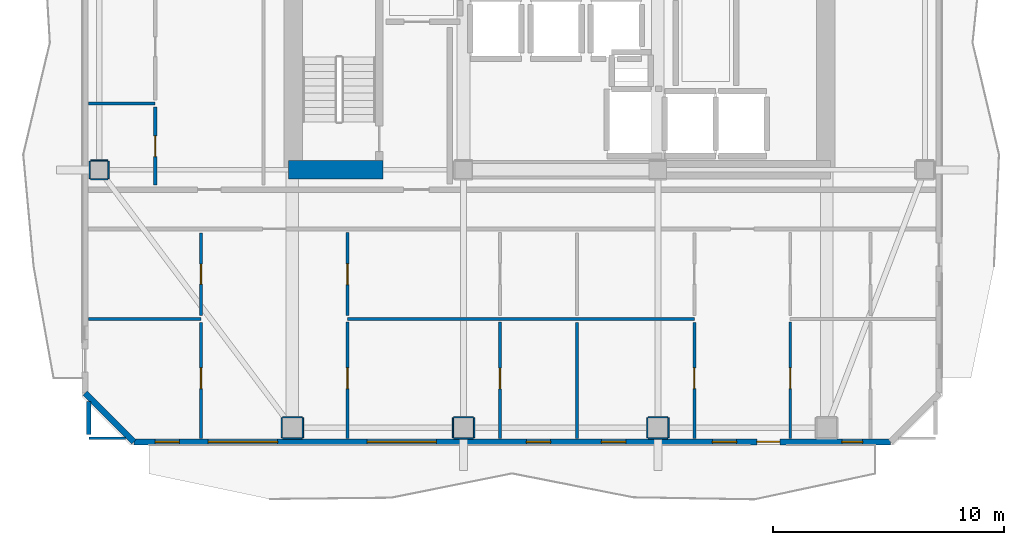
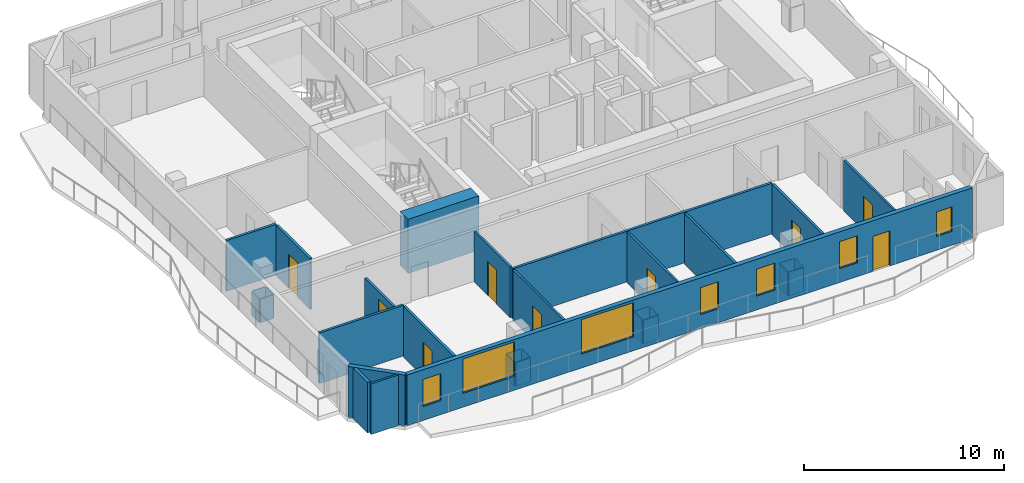
# One storey, part 2 of 10: 33 walls, 9 doors, 7 windows, 16 openings.
"""IFC4 building model written with IfcOpenShell, lengths in metres."""

import ifcopenshell
import ifcopenshell.guid

model = None  # the IFC model being written
_history = None  # IfcOwnerHistory: only IFC2X3 demands one
_inside = {}  # id of a spatial element -> (the spatial element, [elements in it])
_under = {}  # id of a project, library or spatial element -> (it, [spatial elements below it])
_declared = {}  # id of a project -> (the project, [libraries it declares])
_typed = {}  # id of a type object -> (the type object, [elements of that type])
_made_of = {}  # id of a material, layer set ... -> (it, [elements and type objects made of it])


def new_model(schema):
    """Start an empty IFC model of exactly this schema.

    Asked for "IFC4X3", IfcOpenShell would pick the latest addendum, in which some entities
    have other attributes; the version numbers below select the first issue.
    IFC2X3 requires an IfcOwnerHistory on every rooted entity: one is made here for all.
    """
    global model, _history
    if schema == "IFC4X3":
        model = ifcopenshell.file(schema_version=(4, 3, 0, 0))
    else:
        model = ifcopenshell.file(schema=schema)
    _inside.clear()
    _under.clear()
    _declared.clear()
    _typed.clear()
    _made_of.clear()
    _history = None
    if model.schema == "IFC2X3":
        org = make("IfcOrganization", Name="unknown")
        user = make(
            "IfcPersonAndOrganization",
            ThePerson=make("IfcPerson", FamilyName="unknown"),
            TheOrganization=org,
        )
        app = make(
            "IfcApplication",
            ApplicationDeveloper=org,
            Version="unknown",
            ApplicationFullName="unknown",
            ApplicationIdentifier="unknown",
        )
        _history = make(
            "IfcOwnerHistory",
            OwningUser=user,
            OwningApplication=app,
            ChangeAction="ADDED",
            CreationDate=0,
        )
    return model


def make(cls, **values):
    """One entity of the class cls with the attributes given. An attribute that is None is left unset."""
    return model.create_entity(
        cls, **{name: value for name, value in values.items() if value is not None}
    )


def rooted(cls, **values):
    """An entity with a GlobalId (a new one), such as an element, a storey or a relation."""
    return make(cls, GlobalId=ifcopenshell.guid.new(), OwnerHistory=_history, **values)


def si_unit(unit_type, name, prefix=None):
    """IfcSIUnit, for example si_unit("LENGTHUNIT", "METRE", prefix="MILLI")."""
    return make("IfcSIUnit", UnitType=unit_type, Prefix=prefix, Name=name)


def assignment(units):
    """IfcUnitAssignment: the units of a project."""
    return None if units is None else make("IfcUnitAssignment", Units=units)


def point(xyz):
    """IfcCartesianPoint."""
    return None if xyz is None else make("IfcCartesianPoint", Coordinates=xyz)


def direction(xyz):
    """IfcDirection."""
    return None if xyz is None else make("IfcDirection", DirectionRatios=xyz)


def frame(location, z_axis=None, x_axis=None):
    """IfcAxis2Placement3D, a coordinate frame: its origin and axes. An axis left out is left unset."""
    return make(
        "IfcAxis2Placement3D",
        Location=point(location),
        Axis=direction(z_axis),
        RefDirection=direction(x_axis),
    )


def frame_2d(location, x_axis=None):
    """IfcAxis2Placement2D, a coordinate frame in the plane: its origin and x axis."""
    return make(
        "IfcAxis2Placement2D", Location=point(location), RefDirection=direction(x_axis)
    )


def origin():
    """The frame at (0, 0, 0) with its axes left unset."""
    return frame((0.0, 0.0, 0.0))


def place(relative_to, where):
    """IfcLocalPlacement: puts the frame where relative to a parent placement (None: the world)."""
    return make(
        "IfcLocalPlacement", PlacementRelTo=relative_to, RelativePlacement=where
    )


def context(
    kind, dimensions, precision=None, world=None, true_north=None, identifier=None
):
    """IfcGeometricRepresentationContext, for example the 3D "Model" context."""
    return make(
        "IfcGeometricRepresentationContext",
        ContextIdentifier=identifier,
        ContextType=kind,
        CoordinateSpaceDimension=dimensions,
        Precision=precision,
        WorldCoordinateSystem=world,
        TrueNorth=true_north,
    )


def subcontext(parent, identifier, kind, view, scale=None):
    """IfcGeometricRepresentationSubContext, for example "Body" below "Model"."""
    return make(
        "IfcGeometricRepresentationSubContext",
        ContextIdentifier=identifier,
        ContextType=kind,
        ParentContext=parent,
        TargetScale=scale,
        TargetView=view,
    )


def project(units=None, contexts=None):
    """IfcProject with its units and contexts."""
    return rooted(
        "IfcProject",
        Name="project",
        RepresentationContexts=contexts,
        UnitsInContext=assignment(units),
    )


def spatial(cls, under=None, at=None, **own):
    """A site, building, storey or space (cls), placed at a placement, below another one or the project."""
    s = rooted(cls, ObjectPlacement=at, **own)
    if under is not None:
        _under.setdefault(under.id(), (under, []))[1].append(s)
    return s


def profile(cls, at=None, kind="AREA", **sizes):
    """A parametric profile (cls). Its sizes go by their IFC names, for example OverallWidth=200.0."""
    return make(cls, ProfileType=kind, Position=at, **sizes)


def rectangle(**sizes):
    """IfcRectangleProfileDef."""
    return profile("IfcRectangleProfileDef", **sizes)


def extrude(swept, where, along, depth):
    """IfcExtrudedAreaSolid: the profile swept, set in the frame where, extruded along a direction by depth."""
    return make(
        "IfcExtrudedAreaSolid",
        SweptArea=swept,
        Position=where,
        ExtrudedDirection=direction(along),
        Depth=depth,
    )


def shape(context_of_items, identifier, shape_type, items):
    """IfcShapeRepresentation: the items that make up one representation, for example the "Body"."""
    return make(
        "IfcShapeRepresentation",
        ContextOfItems=context_of_items,
        RepresentationIdentifier=identifier,
        RepresentationType=shape_type,
        Items=items,
    )


def material(Name=None, Category=None):
    """IfcMaterial."""
    return make("IfcMaterial", Name=Name, Category=Category)


def layer(
    of_material, thickness, ventilated=None, Name=None, Category=None, Priority=None
):
    """IfcMaterialLayer: one layer of a wall or slab, of a material (None: an air gap)."""
    return make(
        "IfcMaterialLayer",
        Material=of_material,
        LayerThickness=thickness,
        IsVentilated=ventilated,
        Name=Name,
        Category=Category,
        Priority=Priority,
    )


def layer_set(layers, Name=None):
    """IfcMaterialLayerSet."""
    return make("IfcMaterialLayerSet", MaterialLayers=layers, LayerSetName=Name)


def made_of(thing, what):
    """Note that an element or type object is made of a material, layer set ...; save() writes the relation."""
    if what is not None:
        _made_of.setdefault(what.id(), (what, []))[1].append(thing)
    return thing


def type_object(cls, material=None, **own):
    """A type object (cls), such as IfcWallType, which elements share."""
    return made_of(rooted(cls, **own), material)


def element(
    cls,
    number,
    at=None,
    inside=None,
    cuts=None,
    type_object=None,
    material=None,
    context=None,
    identifier="Body",
    shape_type=None,
    held_by="IfcProductDefinitionShape",
    body=None,
    shapes=None,
    **own,
):
    """One element of the class cls, such as IfcWall. Its Tag is "e" and its number.

    at: its placement. inside: the storey or other place that contains it. cuts: it is an
    opening in that element (IfcRelVoidsElement). A single representation is given by context,
    identifier, shape_type and body (its items); several are given by shapes. held_by: the class
    of the entity that holds the representations. save() writes the other relations.
    """
    e = rooted(cls, Tag="e%d" % number, ObjectPlacement=at, **own)
    if body is not None:
        shapes = [shape(context, identifier, shape_type, body)]
    if shapes is not None:
        e.Representation = make(held_by, Representations=shapes)
    if inside is not None:
        _inside.setdefault(inside.id(), (inside, []))[1].append(e)
    if cuts is not None:
        rooted(
            "IfcRelVoidsElement", RelatingBuildingElement=cuts, RelatedOpeningElement=e
        )
    if type_object is not None:
        _typed.setdefault(type_object.id(), (type_object, []))[1].append(e)
    return made_of(e, material)


def fill(opening, filler):
    """IfcRelFillsElement: the door or window that sits in an opening."""
    return rooted(
        "IfcRelFillsElement",
        RelatingOpeningElement=opening,
        RelatedBuildingElement=filler,
    )


def aggregate(whole, parts):
    """IfcRelAggregates: a whole, such as a stair, and the parts it consists of."""
    return rooted("IfcRelAggregates", RelatingObject=whole, RelatedObjects=parts)


def save(model, path):
    """Write the relations noted so far, then the file.

    IfcRelAggregates (storeys below a building ...), IfcRelContainedInSpatialStructure (elements
    in a storey), IfcRelDefinesByType, IfcRelAssociatesMaterial and IfcRelDeclares: one each for
    every whole, place, type object, material and project.
    """
    for whole, parts in _under.values():
        aggregate(whole, parts)
    for where, things in _inside.values():
        rooted(
            "IfcRelContainedInSpatialStructure",
            RelatedElements=things,
            RelatingStructure=where,
        )
    for kind, things in _typed.values():
        rooted("IfcRelDefinesByType", RelatedObjects=things, RelatingType=kind)
    for what, things in _made_of.values():
        rooted("IfcRelAssociatesMaterial", RelatedObjects=things, RelatingMaterial=what)
    for by, libraries in _declared.values():
        rooted("IfcRelDeclares", RelatingContext=by, RelatedDefinitions=libraries)
    model.write(path)


model = new_model("IFC4")

# Units and contexts
model_context = context("Model", 3, precision=1e-05, world=origin(), true_north=direction((0.0, 1.0)))
body_context = subcontext(model_context, "Body", "Model", "MODEL_VIEW")
ifc_project = project(units=[si_unit("LENGTHUNIT", "METRE"), si_unit("AREAUNIT", "SQUARE_METRE"), si_unit("VOLUMEUNIT", "CUBIC_METRE"), si_unit("PLANEANGLEUNIT", "RADIAN"), si_unit("MASSUNIT", "GRAM", prefix="KILO")], contexts=[model_context])

# Site, building, storey
site_placement = place(None, origin())
site = spatial("IfcSite", under=ifc_project, at=site_placement, CompositionType="ELEMENT")
building_placement = place(site_placement, origin())
building = spatial("IfcBuilding", under=site, at=building_placement, Name="Solanera Arch Residences", CompositionType="ELEMENT")
storey_placement = place(building_placement, frame((0.0, 0.0, 200.1201171875)))
storey = spatial("IfcBuildingStorey", under=building, at=storey_placement, Name="L58", CompositionType="ELEMENT", Elevation=200.1201171875)

# Walls
ifc_material_1 = material(Name="Fire-Rated Gypsum Stud Partition", Category="gypsum")
ifc_layer_1 = layer(ifc_material_1, 0.06005859375)
ifc_layer_set_1 = layer_set([ifc_layer_1], Name="Fire-Rated Gypsum Stud Partition")
wall_type_1 = type_object("IfcWallType", Name="Column Acoustic Furring Wall 60", PredefinedType="PARTITIONING", material=ifc_layer_set_1)
for number, where, z_axis, x_axis, name in (
    (1, (12.97509765625, 10.39306640625, 0.0), (0.0, 0.0, 1.0), (1.0, 0.0, 0.0), "L58 Column Furring 9S"),
    (2, (12.97509765625, 11.306884765625, 0.0), (0.0, 0.0, 1.0), (1.0, 0.0, 0.0), "L58 Column Furring 9N"),
    (3, (12.943115234375, 10.425048828125, 0.0), (0.0, 0.0, 1.0), (0.0, 1.0, 0.0), "L58 Column Furring 9W"),
    (4, (13.85693359375, 10.425048828125, 0.0), (0.0, 0.0, 1.0), (0.0, 1.0, 0.0), "L58 Column Furring 9E"),
):
    element("IfcWall", number, at=place(storey_placement, frame(where, z_axis=z_axis, x_axis=x_axis)), inside=storey, type_object=wall_type_1, Name=name, PredefinedType="PARTITIONING", context=body_context, shape_type="SweptSolid", body=[
        extrude(rectangle(XDim=0.849853515625, YDim=0.06005859375, at=frame_2d((0.4248046875, 0.0))), origin(), (0.0, 0.0, 1.0), 1.449951171875),
    ])
for number, where, z_axis, x_axis, name in (
    (5, (20.375, 10.39306640625, 0.0), (0.0, 0.0, 1.0), (1.0, 0.0, 0.0), "L58 Column Furring 11S"),
    (6, (20.375, 11.306884765625, 0.0), (0.0, 0.0, 1.0), (1.0, 0.0, 0.0), "L58 Column Furring 11N"),
):
    element("IfcWall", number, at=place(storey_placement, frame(where, z_axis=z_axis, x_axis=x_axis)), inside=storey, type_object=wall_type_1, Name=name, PredefinedType="PARTITIONING", context=body_context, shape_type="SweptSolid", body=[
        extrude(rectangle(XDim=0.85009765625, YDim=0.06005859375, at=frame_2d((0.425048828125, 0.0))), origin(), (0.0, 0.0, 1.0), 1.449951171875),
    ])
for number, where, z_axis, x_axis, name in (
    (7, (20.343017578125, 10.425048828125, 0.0), (0.0, 0.0, 1.0), (0.0, 1.0, 0.0), "L58 Column Furring 11W"),
    (8, (21.257080078125, 10.425048828125, 0.0), (0.0, 0.0, 1.0), (0.0, 1.0, 0.0), "L58 Column Furring 11E"),
):
    element("IfcWall", number, at=place(storey_placement, frame(where, z_axis=z_axis, x_axis=x_axis)), inside=storey, type_object=wall_type_1, Name=name, PredefinedType="PARTITIONING", context=body_context, shape_type="SweptSolid", body=[
        extrude(rectangle(XDim=0.849853515625, YDim=0.06005859375, at=frame_2d((0.4248046875, 0.0))), origin(), (0.0, 0.0, 1.0), 1.449951171875),
    ])
for number, where, z_axis, x_axis, name in (
    (9, (28.77490234375, 10.39306640625, 0.0), (0.0, 0.0, 1.0), (1.0, 0.0, 0.0), "L58 Column Furring 13S"),
    (10, (28.77490234375, 11.306884765625, 0.0), (0.0, 0.0, 1.0), (1.0, 0.0, 0.0), "L58 Column Furring 13N"),
):
    element("IfcWall", number, at=place(storey_placement, frame(where, z_axis=z_axis, x_axis=x_axis)), inside=storey, type_object=wall_type_1, Name=name, PredefinedType="PARTITIONING", context=body_context, shape_type="SweptSolid", body=[
        extrude(rectangle(XDim=0.85009765625, YDim=0.06005859375, at=frame_2d((0.425048828125, 0.0))), origin(), (0.0, 0.0, 1.0), 1.449951171875),
    ])
for number, where, z_axis, x_axis, name in (
    (11, (28.742919921875, 10.425048828125, 0.0), (0.0, 0.0, 1.0), (0.0, 1.0, 0.0), "L58 Column Furring 13W"),
    (12, (29.656982421875, 10.425048828125, 0.0), (0.0, 0.0, 1.0), (0.0, 1.0, 0.0), "L58 Column Furring 13E"),
):
    element("IfcWall", number, at=place(storey_placement, frame(where, z_axis=z_axis, x_axis=x_axis)), inside=storey, type_object=wall_type_1, Name=name, PredefinedType="PARTITIONING", context=body_context, shape_type="SweptSolid", body=[
        extrude(rectangle(XDim=0.849853515625, YDim=0.06005859375, at=frame_2d((0.4248046875, 0.0))), origin(), (0.0, 0.0, 1.0), 1.449951171875),
    ])
for number, where, z_axis, x_axis, name in (
    (13, (4.675048828125, 21.593017578125, 0.0), (0.0, 0.0, 1.0), (1.0, 0.0, 0.0), "L58 Column Furring 17S"),
    (14, (4.675048828125, 22.406982421875, 0.0), (0.0, 0.0, 1.0), (1.0, 0.0, 0.0), "L58 Column Furring 17N"),
    (15, (4.64306640625, 21.625, 0.0), (0.0, 0.0, 1.0), (0.0, 1.0, 0.0), "L58 Column Furring 17W"),
    (16, (5.45703125, 21.625, 0.0), (0.0, 0.0, 1.0), (0.0, 1.0, 0.0), "L58 Column Furring 17E"),
):
    element("IfcWall", number, at=place(storey_placement, frame(where, z_axis=z_axis, x_axis=x_axis)), inside=storey, type_object=wall_type_1, Name=name, PredefinedType="PARTITIONING", context=body_context, shape_type="SweptSolid", body=[
        extrude(rectangle(XDim=0.75, YDim=0.06005859375, at=frame_2d((0.375, 0.0))), origin(), (0.0, 0.0, 1.0), 1.449951171875),
    ])
ifc_material_2 = material(Name="Concrete C40/50 (f'c = 45 MPa)", Category="concrete")
ifc_layer_2 = layer(ifc_material_2, 0.800048828125)
ifc_layer_set_2 = layer_set([ifc_layer_2], Name="Concrete C40/50 (f'c = 45 MPa)")
wall_type_2 = type_object("IfcWallType", Name="Core Shear Wall CW-800", PredefinedType="SHEAR", material=ifc_layer_set_2)
wall_1_placement = place(storey_placement, frame((13.239990234375, 22.0, 0.0), z_axis=(0.0, 0.0, 1.0), x_axis=(1.0, 0.0, 0.0)))
element("IfcWall", 17, at=wall_1_placement, inside=storey, type_object=wall_type_2, Name="L58 South-West Core Shear Wall", PredefinedType="SHEAR", context=body_context, shape_type="SweptSolid", body=[
    extrude(rectangle(XDim=4.080078125, YDim=0.800048828125, at=frame_2d((2.0400390625, 0.0))), origin(), (0.0, 0.0, 1.0), 3.31982421875),
])
ifc_material_3 = material(Name="Autoclaved Aerated Concrete Blockwork", Category="masonry")
ifc_layer_3 = layer(ifc_material_3, 0.179931640625)
ifc_layer_set_3 = layer_set([ifc_layer_3], Name="Autoclaved Aerated Concrete Blockwork")
wall_type_3 = type_object("IfcWallType", Name="Corridor Fire Partition 180", PredefinedType="PARTITIONING", material=ifc_layer_set_3)
wall_2_placement = place(storey_placement, frame((4.60009765625, 10.55810546875, 0.0), z_axis=(0.0, 0.0, 1.0), x_axis=(0.0, 1.0, 0.0)))
element("IfcWall", 18, at=wall_2_placement, inside=storey, type_object=wall_type_3, Name="L58 Interior Partition V6 1", PredefinedType="PARTITIONING", context=body_context, shape_type="SweptSolid", body=[
    extrude(rectangle(XDim=1.430908203125, YDim=0.179931640625, at=frame_2d((0.71533203125, 0.0))), origin(), (0.0, 0.0, 1.0), 3.099853515625),
])

# Wall, openings, door, windows
ifc_material_4 = material(Name="Precast Concrete C35/45", Category="concrete")
ifc_layer_4 = layer(ifc_material_4, 0.260009765625)
ifc_layer_set_4 = layer_set([ifc_layer_4], Name="Precast Concrete C35/45")
wall_type_4 = type_object("IfcWallType", Name="Exterior Wall Precast Masonry-Frame 260", PredefinedType="STANDARD", material=ifc_layer_set_4)
wall_3_placement = place(storey_placement, frame((39.2548828125, 10.2451171875, 0.0), z_axis=(0.0, 0.0, 1.0), x_axis=(-1.0, 0.0, 0.0)))
wall_3 = element("IfcWall", 19, at=wall_3_placement, inside=storey, type_object=wall_type_4, Name="L58 Tower Exterior Precast Masonry-Frame Wall S", PredefinedType="STANDARD", context=body_context, shape_type="SweptSolid", body=[
    extrude(rectangle(XDim=32.7099609375, YDim=0.260009765625, at=frame_2d((16.35498046875, 0.0))), origin(), (0.0, 0.0, 1.0), 3.099853515625),
])
opening_1_placement = place(wall_3_placement, frame((4.77587890625, 0.0, 0.0)))
opening_1 = element("IfcOpeningElement", 20, at=opening_1_placement, cuts=wall_3, Name="Opening DB-01", PredefinedType="OPENING", context=body_context, shape_type="SweptSolid", body=[
    extrude(rectangle(XDim=1.0, YDim=2.14990234375, at=frame_2d((0.5, 1.074951171875))), frame((0.0, 0.139892578125, 0.0), z_axis=(0.0, -1.0, 0.0), x_axis=(1.0, 0.0, 0.0)), (0.0, 0.0, 1.0), 0.28),
])
opening_2_placement = place(wall_3_placement, frame((26.489990234375, 0.0, 0.85009765625)))
opening_2 = element("IfcOpeningElement", 21, at=opening_2_placement, cuts=wall_3, Name="Opening W-12", PredefinedType="OPENING", context=body_context, shape_type="SweptSolid", body=[
    extrude(rectangle(XDim=3.0, YDim=2.10009765625, at=frame_2d((1.5, 1.050048828125))), frame((0.0, 0.139892578125, 0.0), z_axis=(0.0, -1.0, 0.0), x_axis=(1.0, 0.0, 0.0)), (0.0, 0.0, 1.0), 0.28),
])
opening_3_placement = place(wall_3_placement, frame((30.736083984375, 0.0, 0.85009765625)))
opening_3 = element("IfcOpeningElement", 22, at=opening_3_placement, cuts=wall_3, Name="Opening W-07", PredefinedType="OPENING", context=body_context, shape_type="SweptSolid", body=[
    extrude(rectangle(XDim=1.050048828125, YDim=1.64990234375, at=frame_2d((0.52490234375, 0.824951171875))), frame((0.0, 0.139892578125, 0.0), z_axis=(0.0, -1.0, 0.0), x_axis=(1.0, 0.0, 0.0)), (0.0, 0.0, 1.0), 0.28),
])
opening_4_placement = place(wall_3_placement, frame((19.625, 0.0, 0.85009765625)))
opening_4 = element("IfcOpeningElement", 23, at=opening_4_placement, cuts=wall_3, Name="Opening W-12", PredefinedType="OPENING", context=body_context, shape_type="SweptSolid", body=[
    extrude(rectangle(XDim=3.0, YDim=2.10009765625, at=frame_2d((1.5, 1.050048828125))), frame((0.0, 0.139892578125, 0.0), z_axis=(0.0, -1.0, 0.0), x_axis=(1.0, 0.0, 0.0)), (0.0, 0.0, 1.0), 0.28),
])
opening_5_placement = place(wall_3_placement, frame((14.68798828125, 0.0, 0.85009765625)))
opening_5 = element("IfcOpeningElement", 24, at=opening_5_placement, cuts=wall_3, Name="Opening W-07", PredefinedType="OPENING", context=body_context, shape_type="SweptSolid", body=[
    extrude(rectangle(XDim=1.050048828125, YDim=1.64990234375, at=frame_2d((0.52490234375, 0.824951171875))), frame((0.0, 0.139892578125, 0.0), z_axis=(0.0, -1.0, 0.0), x_axis=(1.0, 0.0, 0.0)), (0.0, 0.0, 1.0), 0.28),
])
opening_6_placement = place(wall_3_placement, frame((6.64990234375, 0.0, 0.85009765625)))
opening_6 = element("IfcOpeningElement", 25, at=opening_6_placement, cuts=wall_3, Name="Opening W-07", PredefinedType="OPENING", context=body_context, shape_type="SweptSolid", body=[
    extrude(rectangle(XDim=1.050048828125, YDim=1.64990234375, at=frame_2d((0.52490234375, 0.824951171875))), frame((0.0, 0.139892578125, 0.0), z_axis=(0.0, -1.0, 0.0), x_axis=(1.0, 0.0, 0.0)), (0.0, 0.0, 1.0), 0.28),
])
opening_7_placement = place(wall_3_placement, frame((11.44091796875, 0.0, 0.85009765625)))
opening_7 = element("IfcOpeningElement", 26, at=opening_7_placement, cuts=wall_3, Name="Opening W-07", PredefinedType="OPENING", context=body_context, shape_type="SweptSolid", body=[
    extrude(rectangle(XDim=1.050048828125, YDim=1.64990234375, at=frame_2d((0.52490234375, 0.824951171875))), frame((0.0, 0.139892578125, 0.0), z_axis=(0.0, -1.0, 0.0), x_axis=(1.0, 0.0, 0.0)), (0.0, 0.0, 1.0), 0.28),
])
opening_8_placement = place(wall_3_placement, frame((1.197998046875, 0.0, 0.85009765625)))
opening_8 = element("IfcOpeningElement", 27, at=opening_8_placement, cuts=wall_3, Name="Opening W-06", PredefinedType="OPENING", context=body_context, shape_type="SweptSolid", body=[
    extrude(rectangle(XDim=0.89990234375, YDim=1.5, at=frame_2d((0.449951171875, 0.75))), frame((0.0, 0.139892578125, 0.0), z_axis=(0.0, -1.0, 0.0), x_axis=(1.0, 0.0, 0.0)), (0.0, 0.0, 1.0), 0.28),
])
ifc_material_5 = material(Name="Anodised Aluminium Alloy 6063-T6", Category="aluminium")
door_type_1 = type_object("IfcDoorType", Name="Glazed Balcony Swing Door DB-01", OperationType="NOTDEFINED", PredefinedType="DOOR", material=ifc_material_5)
door_1_placement = place(opening_1_placement, origin())
door_1 = element("IfcDoor", 28, at=door_1_placement, inside=storey, type_object=door_type_1, Name="DR-L58-OUT-01", OperationType="SINGLE_SWING_RIGHT", OverallHeight=2.14990234375, OverallWidth=1.0, PredefinedType="DOOR", context=body_context, shape_type="SweptSolid", body=[
    extrude(rectangle(XDim=1.0, YDim=2.14990234375, at=frame_2d((0.5, 1.074951171875))), frame((0.0, 0.02490234375, 0.0), z_axis=(0.0, -1.0, 0.0), x_axis=(1.0, 0.0, 0.0)), (0.0, 0.0, 1.0), 0.050048828125),
])
fill(opening_1, door_1)
ifc_material_6 = material(Name="Double Glazed Low-E Laminated Glass", Category="glass")
window_type_1 = type_object("IfcWindowType", Name="Punched Window W-06", PartitioningType="SINGLE_PANEL", PredefinedType="WINDOW", material=ifc_material_6)
window_1_placement = place(opening_8_placement, origin())
window_1 = element("IfcWindow", 29, at=window_1_placement, inside=storey, type_object=window_type_1, Name="L58 5802-BR2 Punched Window", OverallHeight=1.5, OverallWidth=0.89990234375, PartitioningType="SINGLE_PANEL", PredefinedType="WINDOW", context=body_context, shape_type="SweptSolid", body=[
    extrude(rectangle(XDim=0.89990234375, YDim=1.5, at=frame_2d((0.449951171875, 0.75))), frame((0.0, 0.030029296875, 0.0), z_axis=(0.0, -1.0, 0.0), x_axis=(1.0, 0.0, 0.0)), (0.0, 0.0, 1.0), 0.06005859375),
])
fill(opening_8, window_1)
ifc_material_7 = material(Name="Double Glazed Low-E Laminated Glass", Category="glass")
window_type_2 = type_object("IfcWindowType", Name="Punched Window W-07", PartitioningType="SINGLE_PANEL", PredefinedType="WINDOW", material=ifc_material_7)
window_2_placement = place(opening_3_placement, origin())
window_2 = element("IfcWindow", 30, at=window_2_placement, inside=storey, type_object=window_type_2, Name="L58 5801-BR1 Punched Window", OverallHeight=1.64990234375, OverallWidth=1.050048828125, PartitioningType="SINGLE_PANEL", PredefinedType="WINDOW", context=body_context, shape_type="SweptSolid", body=[
    extrude(rectangle(XDim=1.050048828125, YDim=1.64990234375, at=frame_2d((0.52490234375, 0.824951171875))), frame((0.0, 0.030029296875, 0.0), z_axis=(0.0, -1.0, 0.0), x_axis=(1.0, 0.0, 0.0)), (0.0, 0.0, 1.0), 0.06005859375),
])
fill(opening_3, window_2)
window_3_placement = place(opening_5_placement, origin())
window_3 = element("IfcWindow", 31, at=window_3_placement, inside=storey, type_object=window_type_2, Name="L58 5801-BR3 Punched Window", OverallHeight=1.64990234375, OverallWidth=1.050048828125, PartitioningType="SINGLE_PANEL", PredefinedType="WINDOW", context=body_context, shape_type="SweptSolid", body=[
    extrude(rectangle(XDim=1.050048828125, YDim=1.64990234375, at=frame_2d((0.52490234375, 0.824951171875))), frame((0.0, 0.030029296875, 0.0), z_axis=(0.0, -1.0, 0.0), x_axis=(1.0, 0.0, 0.0)), (0.0, 0.0, 1.0), 0.06005859375),
])
fill(opening_5, window_3)
window_4_placement = place(opening_6_placement, origin())
window_4 = element("IfcWindow", 32, at=window_4_placement, inside=storey, type_object=window_type_2, Name="L58 5802-LIV Punched Window", OverallHeight=1.64990234375, OverallWidth=1.050048828125, PartitioningType="SINGLE_PANEL", PredefinedType="WINDOW", context=body_context, shape_type="SweptSolid", body=[
    extrude(rectangle(XDim=1.050048828125, YDim=1.64990234375, at=frame_2d((0.52490234375, 0.824951171875))), frame((0.0, 0.030029296875, 0.0), z_axis=(0.0, -1.0, 0.0), x_axis=(1.0, 0.0, 0.0)), (0.0, 0.0, 1.0), 0.06005859375),
])
fill(opening_6, window_4)
window_5_placement = place(opening_7_placement, origin())
window_5 = element("IfcWindow", 33, at=window_5_placement, inside=storey, type_object=window_type_2, Name="L58 5802-BR1 Punched Window", OverallHeight=1.64990234375, OverallWidth=1.050048828125, PartitioningType="SINGLE_PANEL", PredefinedType="WINDOW", context=body_context, shape_type="SweptSolid", body=[
    extrude(rectangle(XDim=1.050048828125, YDim=1.64990234375, at=frame_2d((0.52490234375, 0.824951171875))), frame((0.0, 0.030029296875, 0.0), z_axis=(0.0, -1.0, 0.0), x_axis=(1.0, 0.0, 0.0)), (0.0, 0.0, 1.0), 0.06005859375),
])
fill(opening_7, window_5)
ifc_material_8 = material(Name="Double Glazed Low-E Laminated Glass", Category="glass")
window_type_3 = type_object("IfcWindowType", Name="Punched Window W-12", PartitioningType="TRIPLE_PANEL_VERTICAL", PredefinedType="WINDOW", material=ifc_material_8)
window_6_placement = place(opening_2_placement, origin())
window_6 = element("IfcWindow", 34, at=window_6_placement, inside=storey, type_object=window_type_3, Name="L58 5801-LIV Punched Window", OverallHeight=2.10009765625, OverallWidth=3.0, PartitioningType="SINGLE_PANEL", PredefinedType="WINDOW", context=body_context, shape_type="SweptSolid", body=[
    extrude(rectangle(XDim=3.0, YDim=2.10009765625, at=frame_2d((1.5, 1.050048828125))), frame((0.0, 0.030029296875, 0.0), z_axis=(0.0, -1.0, 0.0), x_axis=(1.0, 0.0, 0.0)), (0.0, 0.0, 1.0), 0.06005859375),
])
fill(opening_2, window_6)
window_7_placement = place(opening_4_placement, origin())
window_7 = element("IfcWindow", 35, at=window_7_placement, inside=storey, type_object=window_type_3, Name="L58 5801-BR2 Punched Window", OverallHeight=2.10009765625, OverallWidth=3.0, PartitioningType="SINGLE_PANEL", PredefinedType="WINDOW", context=body_context, shape_type="SweptSolid", body=[
    extrude(rectangle(XDim=3.0, YDim=2.10009765625, at=frame_2d((1.5, 1.050048828125))), frame((0.0, 0.030029296875, 0.0), z_axis=(0.0, -1.0, 0.0), x_axis=(1.0, 0.0, 0.0)), (0.0, 0.0, 1.0), 0.06005859375),
])
fill(opening_4, window_7)

# Walls
wall_4_placement = place(storey_placement, frame((6.544921875, 10.2451171875, 0.0), z_axis=(0.0, 0.0, 1.0), x_axis=(-0.707106781187, 0.707106781187, 0.0)))
element("IfcWall", 36, at=wall_4_placement, inside=storey, type_object=wall_type_4, Name="L58 Tower Exterior Precast Masonry-Frame Wall CH7", PredefinedType="STANDARD", context=body_context, shape_type="SweptSolid", body=[
    extrude(rectangle(XDim=2.9697265625, YDim=0.260009765625, at=frame_2d((1.48486328125, 0.0))), origin(), (0.0, 0.0, 1.0), 3.099853515625),
])
ifc_material_9 = material(Name="Fire-Rated Gypsum Stud Partition", Category="gypsum")
ifc_layer_5 = layer(ifc_material_9, 0.1201171875)
ifc_layer_set_5 = layer_set([ifc_layer_5], Name="Fire-Rated Gypsum Stud Partition")
wall_type_5 = type_object("IfcWallType", Name="Unit Drywall Partition 120", PredefinedType="PARTITIONING", material=ifc_layer_set_5)
wall_5_placement = place(storey_placement, frame((4.60009765625, 10.39990234375, 0.0), z_axis=(0.0, 0.0, 1.0), x_axis=(1.0, 0.0, 0.0)))
element("IfcWall", 37, at=wall_5_placement, inside=storey, type_object=wall_type_5, Name="L58 Interior Partition H19 1", PredefinedType="PARTITIONING", context=body_context, shape_type="SweptSolid", body=[
    extrude(rectangle(XDim=1.5888671875, YDim=0.1201171875, at=frame_2d((0.79443359375, 0.0))), origin(), (0.0, 0.0, 1.0), 3.099853515625),
])

# Wall, opening, door
wall_6_placement = place(storey_placement, frame((15.784912109375, 10.386962890625, 0.0), z_axis=(0.0, 0.0, 1.0), x_axis=(0.0, 1.0, 0.0)))
wall_6 = element("IfcWall", 38, at=wall_6_placement, inside=storey, type_object=wall_type_5, Name="L58 Interior Partition V18 1", PredefinedType="PARTITIONING", context=body_context, shape_type="SweptSolid", body=[
    extrude(rectangle(XDim=5.033935546875, YDim=0.1201171875, at=frame_2d((2.51708984375, 0.0))), origin(), (0.0, 0.0, 1.0), 3.099853515625),
])
opening_9_placement = place(wall_6_placement, frame((2.155029296875, 0.0, 0.0)))
opening_9 = element("IfcOpeningElement", 39, at=opening_9_placement, cuts=wall_6, Name="Opening DI-03", PredefinedType="OPENING", context=body_context, shape_type="SweptSolid", body=[
    extrude(rectangle(XDim=0.89990234375, YDim=2.10009765625, at=frame_2d((0.449951171875, 1.050048828125))), frame((0.0, 0.070068359375, 0.0), z_axis=(0.0, -1.0, 0.0), x_axis=(1.0, 0.0, 0.0)), (0.0, 0.0, 1.0), 0.1401),
])
ifc_material_10 = material(Name="Fire-Rated Architectural Hardwood", Category="wood")
door_type_2 = type_object("IfcDoorType", Name="Bedroom Swing Door DI-03", OperationType="NOTDEFINED", PredefinedType="DOOR", material=ifc_material_10)
door_2_placement = place(opening_9_placement, origin())
door_2 = element("IfcDoor", 40, at=door_2_placement, inside=storey, type_object=door_type_2, Name="DR-L58-IN-019", OperationType="SINGLE_SWING_LEFT", OverallHeight=2.10009765625, OverallWidth=0.89990234375, PredefinedType="DOOR", context=body_context, shape_type="SweptSolid", body=[
    extrude(rectangle(XDim=0.89990234375, YDim=2.10009765625, at=frame_2d((0.449951171875, 1.050048828125))), frame((0.0, 0.02490234375, 0.0), z_axis=(0.0, -1.0, 0.0), x_axis=(1.0, 0.0, 0.0)), (0.0, 0.0, 1.0), 0.050048828125),
])
fill(opening_9, door_2)

wall_7_placement = place(storey_placement, frame((15.784912109375, 15.697021484375, 0.0), z_axis=(0.0, 0.0, 1.0), x_axis=(0.0, 1.0, 0.0)))
wall_7 = element("IfcWall", 41, at=wall_7_placement, inside=storey, type_object=wall_type_5, Name="L58 Interior Partition V18 2", PredefinedType="PARTITIONING", context=body_context, shape_type="SweptSolid", body=[
    extrude(rectangle(XDim=3.594970703125, YDim=0.1201171875, at=frame_2d((1.79736328125, 0.0))), origin(), (0.0, 0.0, 1.0), 3.099853515625),
])
opening_10_placement = place(wall_7_placement, frame((1.344970703125, 0.0, 0.0)))
opening_10 = element("IfcOpeningElement", 42, at=opening_10_placement, cuts=wall_7, Name="Opening DI-02", PredefinedType="OPENING", context=body_context, shape_type="SweptSolid", body=[
    extrude(rectangle(XDim=0.89990234375, YDim=2.10009765625, at=frame_2d((0.449951171875, 1.050048828125))), frame((0.0, 0.070068359375, 0.0), z_axis=(0.0, -1.0, 0.0), x_axis=(1.0, 0.0, 0.0)), (0.0, 0.0, 1.0), 0.1401),
])
ifc_material_11 = material(Name="Fire-Rated Architectural Hardwood", Category="wood")
door_type_3 = type_object("IfcDoorType", Name="Suite Room Swing Door DI-02", OperationType="NOTDEFINED", PredefinedType="DOOR", material=ifc_material_11)
door_3_placement = place(opening_10_placement, origin())
door_3 = element("IfcDoor", 43, at=door_3_placement, inside=storey, type_object=door_type_3, Name="DR-L58-IN-017", OperationType="SINGLE_SWING_LEFT", OverallHeight=2.10009765625, OverallWidth=0.89990234375, PredefinedType="DOOR", context=body_context, shape_type="SweptSolid", body=[
    extrude(rectangle(XDim=0.89990234375, YDim=2.10009765625, at=frame_2d((0.449951171875, 1.050048828125))), frame((0.0, 0.02490234375, 0.0), z_axis=(0.0, -1.0, 0.0), x_axis=(1.0, 0.0, 0.0)), (0.0, 0.0, 1.0), 0.050048828125),
])
fill(opening_10, door_3)

wall_8_placement = place(storey_placement, frame((22.3798828125, 10.386962890625, 0.0), z_axis=(0.0, 0.0, 1.0), x_axis=(0.0, 1.0, 0.0)))
wall_8 = element("IfcWall", 44, at=wall_8_placement, inside=storey, type_object=wall_type_5, Name="L58 Interior Partition V20 1", PredefinedType="PARTITIONING", context=body_context, shape_type="SweptSolid", body=[
    extrude(rectangle(XDim=5.033935546875, YDim=0.1201171875, at=frame_2d((2.51708984375, 0.0))), origin(), (0.0, 0.0, 1.0), 3.099853515625),
])
opening_11_placement = place(wall_8_placement, frame((2.14208984375, 0.0, 0.0)))
opening_11 = element("IfcOpeningElement", 45, at=opening_11_placement, cuts=wall_8, Name="Opening DI-03", PredefinedType="OPENING", context=body_context, shape_type="SweptSolid", body=[
    extrude(rectangle(XDim=0.89990234375, YDim=2.10009765625, at=frame_2d((0.449951171875, 1.050048828125))), frame((0.0, 0.070068359375, 0.0), z_axis=(0.0, -1.0, 0.0), x_axis=(1.0, 0.0, 0.0)), (0.0, 0.0, 1.0), 0.1401),
])
door_4_placement = place(opening_11_placement, origin())
door_4 = element("IfcDoor", 46, at=door_4_placement, inside=storey, type_object=door_type_2, Name="DR-L58-IN-020", OperationType="SINGLE_SWING_RIGHT", OverallHeight=2.10009765625, OverallWidth=0.89990234375, PredefinedType="DOOR", context=body_context, shape_type="SweptSolid", body=[
    extrude(rectangle(XDim=0.89990234375, YDim=2.10009765625, at=frame_2d((0.449951171875, 1.050048828125))), frame((0.0, 0.02490234375, 0.0), z_axis=(0.0, -1.0, 0.0), x_axis=(1.0, 0.0, 0.0)), (0.0, 0.0, 1.0), 0.050048828125),
])
fill(opening_11, door_4)

wall_9_placement = place(storey_placement, frame((34.919921875, 10.386962890625, 0.0), z_axis=(0.0, 0.0, 1.0), x_axis=(0.0, 1.0, 0.0)))
wall_9 = element("IfcWall", 47, at=wall_9_placement, inside=storey, type_object=wall_type_5, Name="L58 Interior Partition V23 1", PredefinedType="PARTITIONING", context=body_context, shape_type="SweptSolid", body=[
    extrude(rectangle(XDim=5.033935546875, YDim=0.1201171875, at=frame_2d((2.51708984375, 0.0))), origin(), (0.0, 0.0, 1.0), 3.099853515625),
])
opening_12_placement = place(wall_9_placement, frame((2.155029296875, 0.0, 0.0)))
opening_12 = element("IfcOpeningElement", 48, at=opening_12_placement, cuts=wall_9, Name="Opening DI-03", PredefinedType="OPENING", context=body_context, shape_type="SweptSolid", body=[
    extrude(rectangle(XDim=0.89990234375, YDim=2.10009765625, at=frame_2d((0.449951171875, 1.050048828125))), frame((0.0, 0.070068359375, 0.0), z_axis=(0.0, -1.0, 0.0), x_axis=(1.0, 0.0, 0.0)), (0.0, 0.0, 1.0), 0.1401),
])
door_5_placement = place(opening_12_placement, origin())
door_5 = element("IfcDoor", 49, at=door_5_placement, inside=storey, type_object=door_type_2, Name="DR-L58-IN-026", OperationType="SINGLE_SWING_RIGHT", OverallHeight=2.10009765625, OverallWidth=0.89990234375, PredefinedType="DOOR", context=body_context, shape_type="SweptSolid", body=[
    extrude(rectangle(XDim=0.89990234375, YDim=2.10009765625, at=frame_2d((0.449951171875, 1.050048828125))), frame((0.0, 0.02490234375, 0.0), z_axis=(0.0, -1.0, 0.0), x_axis=(1.0, 0.0, 0.0)), (0.0, 0.0, 1.0), 0.050048828125),
])
fill(opening_12, door_5)

# Walls
ifc_material_12 = material(Name="Autoclaved Aerated Concrete Blockwork", Category="masonry")
ifc_layer_6 = layer(ifc_material_12, 0.139892578125)
ifc_layer_set_6 = layer_set([ifc_layer_6], Name="Autoclaved Aerated Concrete Blockwork")
wall_type_6 = type_object("IfcWallType", Name="Wet-Room Partition 140", PredefinedType="PARTITIONING", material=ifc_layer_set_6)
wall_10_placement = place(storey_placement, frame((4.5869140625, 15.55908203125, 0.0), z_axis=(0.0, 0.0, 1.0), x_axis=(1.0, 0.0, 0.0)))
element("IfcWall", 50, at=wall_10_placement, inside=storey, type_object=wall_type_6, Name="L58 Interior Partition H13", PredefinedType="PARTITIONING", context=body_context, shape_type="SweptSolid", body=[
    extrude(rectangle(XDim=4.8671875, YDim=0.139892578125, at=frame_2d((2.43359375, 0.0))), origin(), (0.0, 0.0, 1.0), 3.099853515625),
])
wall_11_placement = place(storey_placement, frame((15.784912109375, 15.55908203125, 0.0), z_axis=(0.0, 0.0, 1.0), x_axis=(1.0, 0.0, 0.0)))
element("IfcWall", 51, at=wall_11_placement, inside=storey, type_object=wall_type_6, Name="L58 Interior Partition H14", PredefinedType="PARTITIONING", context=body_context, shape_type="SweptSolid", body=[
    extrude(rectangle(XDim=14.9951171875, YDim=0.139892578125, at=frame_2d((7.49755859375, 0.0))), origin(), (0.0, 0.0, 1.0), 3.099853515625),
])
wall_12_placement = place(storey_placement, frame((4.5869140625, 24.868896484375, 0.0), z_axis=(0.0, 0.0, 1.0), x_axis=(1.0, 0.0, 0.0)))
element("IfcWall", 52, at=wall_12_placement, inside=storey, type_object=wall_type_6, Name="L58 Interior Partition H16", PredefinedType="PARTITIONING", context=body_context, shape_type="SweptSolid", body=[
    extrude(rectangle(XDim=2.882080078125, YDim=0.139892578125, at=frame_2d((1.44091796875, 0.0))), origin(), (0.0, 0.0, 1.0), 3.099853515625),
])

# Wall, opening, door
wall_13_placement = place(storey_placement, frame((7.468994140625, 21.347900390625, 0.0), z_axis=(0.0, 0.0, 1.0), x_axis=(0.0, 1.0, 0.0)))
wall_13 = element("IfcWall", 53, at=wall_13_placement, inside=storey, type_object=wall_type_6, Name="L58 Interior Partition V13 1", PredefinedType="PARTITIONING", context=body_context, shape_type="SweptSolid", body=[
    extrude(rectangle(XDim=3.373046875, YDim=0.139892578125, at=frame_2d((1.6865234375, 0.0))), origin(), (0.0, 0.0, 1.0), 3.099853515625),
])
opening_13_placement = place(wall_13_placement, frame((1.22412109375, 0.0, 0.0)))
opening_13 = element("IfcOpeningElement", 54, at=opening_13_placement, cuts=wall_13, Name="Opening DI-02", PredefinedType="OPENING", context=body_context, shape_type="SweptSolid", body=[
    extrude(rectangle(XDim=0.89990234375, YDim=2.10009765625, at=frame_2d((0.449951171875, 1.050048828125))), frame((0.0, 0.079833984375, 0.0), z_axis=(0.0, -1.0, 0.0), x_axis=(1.0, 0.0, 0.0)), (0.0, 0.0, 1.0), 0.1599),
])
door_6_placement = place(opening_13_placement, origin())
door_6 = element("IfcDoor", 55, at=door_6_placement, inside=storey, type_object=door_type_3, Name="DR-L58-IN-033", OperationType="SINGLE_SWING_LEFT", OverallHeight=2.10009765625, OverallWidth=0.89990234375, PredefinedType="DOOR", context=body_context, shape_type="SweptSolid", body=[
    extrude(rectangle(XDim=0.89990234375, YDim=2.10009765625, at=frame_2d((0.449951171875, 1.050048828125))), frame((0.0, 0.02490234375, 0.0), z_axis=(0.0, -1.0, 0.0), x_axis=(1.0, 0.0, 0.0)), (0.0, 0.0, 1.0), 0.050048828125),
])
fill(opening_13, door_6)

wall_14_placement = place(storey_placement, frame((9.4541015625, 10.386962890625, 0.0), z_axis=(0.0, 0.0, 1.0), x_axis=(0.0, 1.0, 0.0)))
wall_14 = element("IfcWall", 56, at=wall_14_placement, inside=storey, type_object=wall_type_6, Name="L58 Interior Partition V14 1", PredefinedType="PARTITIONING", context=body_context, shape_type="SweptSolid", body=[
    extrude(rectangle(XDim=5.02392578125, YDim=0.139892578125, at=frame_2d((2.511962890625, 0.0))), origin(), (0.0, 0.0, 1.0), 3.099853515625),
])
opening_14_placement = place(wall_14_placement, frame((2.155029296875, 0.0, 0.0)))
opening_14 = element("IfcOpeningElement", 57, at=opening_14_placement, cuts=wall_14, Name="Opening DI-03", PredefinedType="OPENING", context=body_context, shape_type="SweptSolid", body=[
    extrude(rectangle(XDim=0.89990234375, YDim=2.10009765625, at=frame_2d((0.449951171875, 1.050048828125))), frame((0.0, 0.079833984375, 0.0), z_axis=(0.0, -1.0, 0.0), x_axis=(1.0, 0.0, 0.0)), (0.0, 0.0, 1.0), 0.1599),
])
door_7_placement = place(opening_14_placement, origin())
door_7 = element("IfcDoor", 58, at=door_7_placement, inside=storey, type_object=door_type_2, Name="DR-L58-IN-016", OperationType="SINGLE_SWING_RIGHT", OverallHeight=2.10009765625, OverallWidth=0.89990234375, PredefinedType="DOOR", context=body_context, shape_type="SweptSolid", body=[
    extrude(rectangle(XDim=0.89990234375, YDim=2.10009765625, at=frame_2d((0.449951171875, 1.050048828125))), frame((0.0, 0.02490234375, 0.0), z_axis=(0.0, -1.0, 0.0), x_axis=(1.0, 0.0, 0.0)), (0.0, 0.0, 1.0), 0.050048828125),
])
fill(opening_14, door_7)

wall_15_placement = place(storey_placement, frame((9.4541015625, 15.70703125, 0.0), z_axis=(0.0, 0.0, 1.0), x_axis=(0.0, 1.0, 0.0)))
wall_15 = element("IfcWall", 59, at=wall_15_placement, inside=storey, type_object=wall_type_6, Name="L58 Interior Partition V14 2", PredefinedType="PARTITIONING", context=body_context, shape_type="SweptSolid", body=[
    extrude(rectangle(XDim=3.574951171875, YDim=0.139892578125, at=frame_2d((1.78759765625, 0.0))), origin(), (0.0, 0.0, 1.0), 2.476806640625),
])
opening_15_placement = place(wall_15_placement, frame((1.35498046875, 0.0, 0.0)))
opening_15 = element("IfcOpeningElement", 60, at=opening_15_placement, cuts=wall_15, Name="Opening DI-05", PredefinedType="OPENING", context=body_context, shape_type="SweptSolid", body=[
    extrude(rectangle(XDim=0.860107421875, YDim=2.02001953125, at=frame_2d((0.43017578125, 1.010009765625))), frame((0.0, 0.079833984375, 0.0), z_axis=(0.0, -1.0, 0.0), x_axis=(1.0, 0.0, 0.0)), (0.0, 0.0, 1.0), 0.1599),
])
ifc_material_13 = material(Name="Fire-Rated Architectural Hardwood", Category="wood")
door_type_4 = type_object("IfcDoorType", Name="Bathroom Swing Door DI-05", OperationType="NOTDEFINED", PredefinedType="DOOR", material=ifc_material_13)
door_8_placement = place(opening_15_placement, origin())
door_8 = element("IfcDoor", 61, at=door_8_placement, inside=storey, type_object=door_type_4, Name="DR-L58-IN-015", OperationType="SINGLE_SWING_LEFT", OverallHeight=2.02001953125, OverallWidth=0.860107421875, PredefinedType="DOOR", context=body_context, shape_type="SweptSolid", body=[
    extrude(rectangle(XDim=0.860107421875, YDim=2.02001953125, at=frame_2d((0.43017578125, 1.010009765625))), frame((0.0, 0.02490234375, 0.0), z_axis=(0.0, -1.0, 0.0), x_axis=(1.0, 0.0, 0.0)), (0.0, 0.0, 1.0), 0.050048828125),
])
fill(opening_15, door_8)

# Wall
wall_16_placement = place(storey_placement, frame((25.7041015625, 10.386962890625, 0.0), z_axis=(0.0, 0.0, 1.0), x_axis=(0.0, 1.0, 0.0)))
element("IfcWall", 62, at=wall_16_placement, inside=storey, type_object=wall_type_6, Name="L58 Interior Partition V15 1", PredefinedType="PARTITIONING", context=body_context, shape_type="SweptSolid", body=[
    extrude(rectangle(XDim=5.02392578125, YDim=0.139892578125, at=frame_2d((2.511962890625, 0.0))), origin(), (0.0, 0.0, 1.0), 3.099853515625),
])

# Wall, opening, door
wall_17_placement = place(storey_placement, frame((30.780029296875, 10.386962890625, 0.0), z_axis=(0.0, 0.0, 1.0), x_axis=(0.0, 1.0, 0.0)))
wall_17 = element("IfcWall", 63, at=wall_17_placement, inside=storey, type_object=wall_type_6, Name="L58 Interior Partition V16 1", PredefinedType="PARTITIONING", context=body_context, shape_type="SweptSolid", body=[
    extrude(rectangle(XDim=5.02392578125, YDim=0.139892578125, at=frame_2d((2.511962890625, 0.0))), origin(), (0.0, 0.0, 1.0), 3.099853515625),
])
opening_16_placement = place(wall_17_placement, frame((2.155029296875, 0.0, 0.0)))
opening_16 = element("IfcOpeningElement", 64, at=opening_16_placement, cuts=wall_17, Name="Opening DI-03", PredefinedType="OPENING", context=body_context, shape_type="SweptSolid", body=[
    extrude(rectangle(XDim=0.89990234375, YDim=2.10009765625, at=frame_2d((0.449951171875, 1.050048828125))), frame((0.0, 0.079833984375, 0.0), z_axis=(0.0, -1.0, 0.0), x_axis=(1.0, 0.0, 0.0)), (0.0, 0.0, 1.0), 0.1599),
])
door_9_placement = place(opening_16_placement, origin())
door_9 = element("IfcDoor", 65, at=door_9_placement, inside=storey, type_object=door_type_2, Name="DR-L58-IN-023", OperationType="SINGLE_SWING_LEFT", OverallHeight=2.10009765625, OverallWidth=0.89990234375, PredefinedType="DOOR", context=body_context, shape_type="SweptSolid", body=[
    extrude(rectangle(XDim=0.89990234375, YDim=2.10009765625, at=frame_2d((0.449951171875, 1.050048828125))), frame((0.0, 0.02490234375, 0.0), z_axis=(0.0, -1.0, 0.0), x_axis=(1.0, 0.0, 0.0)), (0.0, 0.0, 1.0), 0.050048828125),
])
fill(opening_16, door_9)

save(model, "model.ifc")
